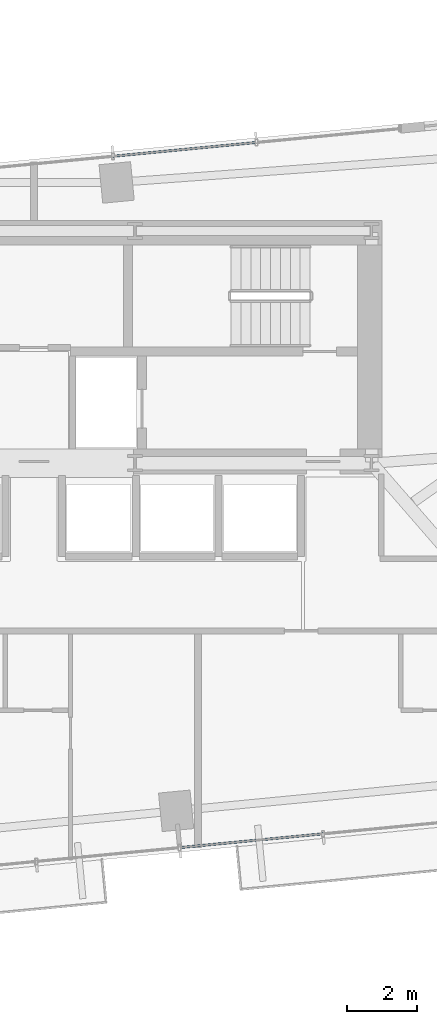
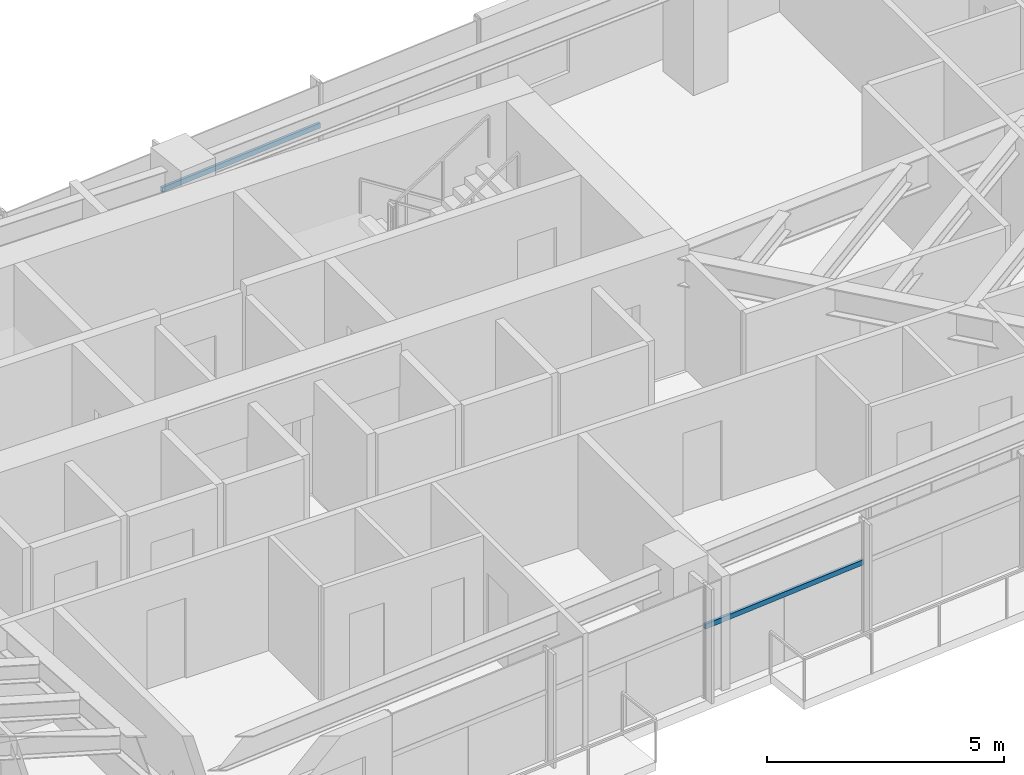
# One storey, part 11 of 27: 2 members, 2 elements without a shape of their own.
"""IFC4 building model written with IfcOpenShell, lengths in metres."""

from ifc_helpers import new_model, si_unit, direction, frame, origin, origin_2d, place, context, subcontext, project, spatial, hollow_rectangle, extrude, source, transform, mapped, material, material_profile, profile_set, type_object, type_shapes, element, aggregate, save


model = new_model("IFC4")

# Units and contexts
model_context = context("Model", 3, precision=1e-05, world=origin(), true_north=direction((0.0, 1.0)))
body_context = subcontext(model_context, "Body", "Model", "MODEL_VIEW")
ifc_project = project(units=[si_unit("LENGTHUNIT", "METRE"), si_unit("AREAUNIT", "SQUARE_METRE"), si_unit("VOLUMEUNIT", "CUBIC_METRE"), si_unit("PLANEANGLEUNIT", "RADIAN"), si_unit("MASSUNIT", "GRAM", prefix="KILO")], contexts=[model_context])

# Site, building, storey
site_placement = place(None, origin())
site = spatial("IfcSite", under=ifc_project, at=site_placement, CompositionType="ELEMENT")
building_placement = place(site_placement, origin())
building = spatial("IfcBuilding", under=site, at=building_placement, Name="Astriad Promenade Condominiums", CompositionType="ELEMENT")
storey_placement = place(building_placement, frame((0.0, 0.0, 93.800048828125)))
storey = spatial("IfcBuildingStorey", under=building, at=storey_placement, Name="L26", CompositionType="ELEMENT", Elevation=93.800048828125)

# Curtain wall, member
ifc_material_1 = material(Name="Anodised aluminium Black Dark Glass Unitised", Category="aluminium")
curtain_wall_type = type_object("IfcCurtainWallType", Name="CW-B2-DARK", PredefinedType="USERDEFINED", material=ifc_material_1)
curtain_wall_1_placement = place(storey_placement, origin())
curtain_wall_1 = element("IfcCurtainWall", 1, at=curtain_wall_1_placement, inside=storey, type_object=curtain_wall_type, Name="CW-L26-N", ObjectType="UNITISED_CURTAIN_WALL", PredefinedType="USERDEFINED")
ifc_material_2 = material(Name="Anodised aluminium 6063-T6 Black", Category="aluminium")
ifc_material_profile = material_profile(ifc_material_2, hollow_rectangle(XDim=0.06494140625, YDim=0.1298828125, WallThickness=0.00390625, at=origin_2d()), Name="ALU-TRN-65X130")
ifc_profile_set = profile_set([ifc_material_profile], Name="Anodised aluminium 6063-T6 Black")
member_type = type_object("IfcMemberType", Name="TRN-ALU-TRN-65X130", PredefinedType="USERDEFINED", material=ifc_profile_set)
shared_shape = source(origin(), body_context, "Body", "SweptSolid", [
    extrude(hollow_rectangle(XDim=0.06494140625, YDim=0.1298828125, WallThickness=0.00390625, at=origin_2d()), origin(), (0.0, 0.0, 1.0), 4.094970703125),
])
type_shapes(member_type, [shared_shape])
member_1_placement = place(storey_placement, frame((38.25390625, 26.12451171875, 1.82275390625), z_axis=(0.995394161585, 0.09586690296, 0.0), x_axis=(-0.09586690296, 0.995394161585, 0.0)))
member_1 = element("IfcMember", 2, at=member_1_placement, type_object=member_type, Name="CW-L26-N-TRN-02-0", ObjectType="TRANSOM", PredefinedType="USERDEFINED", context=body_context, shape_type="MappedRepresentation", body=[
    mapped(shared_shape, transform((0.0, 0.0, 0.0), scale=1.0)),
])
aggregate(curtain_wall_1, [member_1])

curtain_wall_2_placement = place(storey_placement, origin())
curtain_wall_2 = element("IfcCurtainWall", 3, at=curtain_wall_2_placement, inside=storey, type_object=curtain_wall_type, Name="CW-L26-S", ObjectType="UNITISED_CURTAIN_WALL", PredefinedType="USERDEFINED")
member_2_placement = place(storey_placement, frame((44.22216796875, 6.867919921875, 1.82275390625), z_axis=(-0.995394161585, -0.09586690296, 0.0), x_axis=(0.09586690296, -0.995394161585, 0.0)))
member_2 = element("IfcMember", 4, at=member_2_placement, type_object=member_type, Name="CW-L26-S-TRN-01-0", ObjectType="TRANSOM", PredefinedType="USERDEFINED", context=body_context, shape_type="MappedRepresentation", body=[
    mapped(shared_shape, transform((0.0, 0.0, 0.0), scale=1.0)),
])
aggregate(curtain_wall_2, [member_2])

save(model, "model.ifc")
